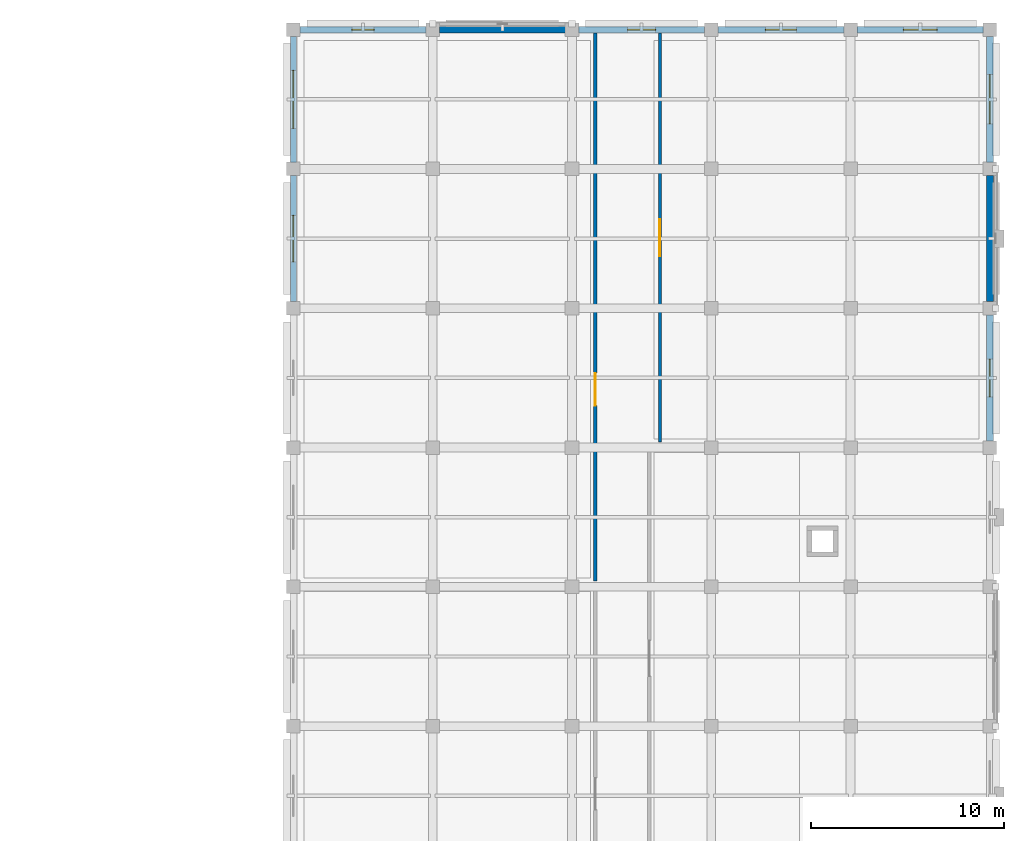
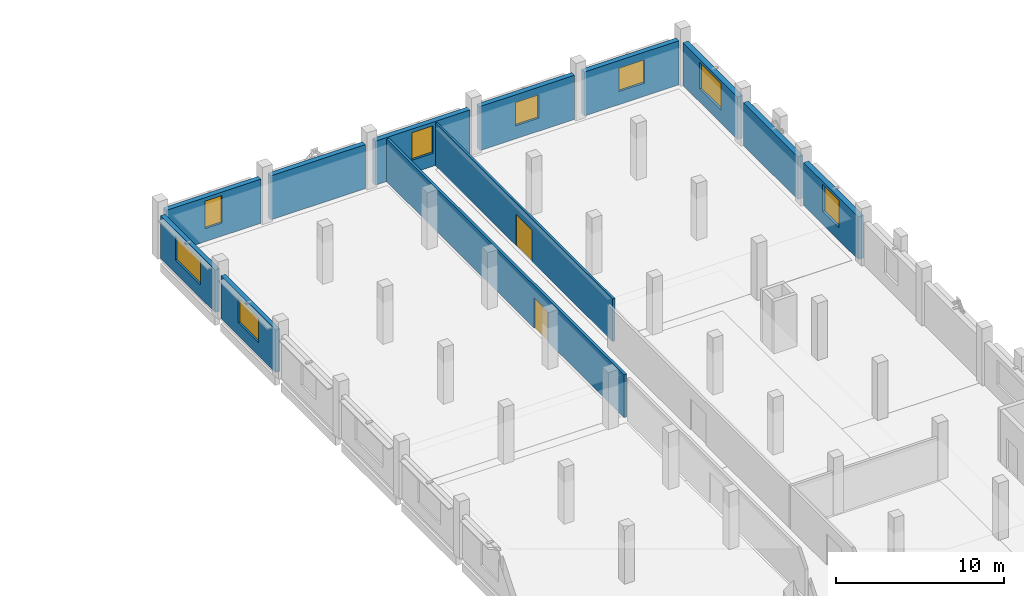
# One storey, part 41 of 57: 12 walls, 8 windows, 2 doors, 10 openings.
"""IFC4 building model written with IfcOpenShell, lengths in metres."""

from ifc_helpers import new_model, si_unit, direction, frame, frame_2d, origin, place, context, subcontext, project, spatial, rectangle, extrude, material, layer, layer_set, type_object, element, fill, save


model = new_model("IFC4")

# Units and contexts
model_context = context("Model", 3, precision=1e-05, world=origin(), true_north=direction((0.0, 1.0)))
body_context = subcontext(model_context, "Body", "Model", "MODEL_VIEW")
ifc_project = project(units=[si_unit("LENGTHUNIT", "METRE"), si_unit("AREAUNIT", "SQUARE_METRE"), si_unit("VOLUMEUNIT", "CUBIC_METRE"), si_unit("PLANEANGLEUNIT", "RADIAN"), si_unit("MASSUNIT", "GRAM", prefix="KILO")], contexts=[model_context])

# Site, building, storey
site_placement = place(None, origin())
site = spatial("IfcSite", under=ifc_project, at=site_placement, CompositionType="ELEMENT")
building_placement = place(site_placement, origin())
building = spatial("IfcBuilding", under=site, at=building_placement, Name="Valkovuoma Quantum and Materials Research Institute", CompositionType="ELEMENT")
storey_placement = place(building_placement, frame((0.0, 0.0, 4.800048828125)))
storey = spatial("IfcBuildingStorey", under=building, at=storey_placement, Name="L01", CompositionType="ELEMENT", Elevation=4.800048828125)

# Wall, opening, window
ifc_material_1 = material(Name="Precast concrete C40/50", Category="concrete")
ifc_layer_1 = layer(ifc_material_1, 0.300048828125)
ifc_layer_set_1 = layer_set([ifc_layer_1], Name="Precast concrete C40/50")
wall_type_1 = type_object("IfcWallType", Name="Wall-W-EXT300", PredefinedType="SOLIDWALL", material=ifc_layer_set_1)
wall_1_placement = place(storey_placement, frame((129.60009765625, 101.139892578125, 0.0), z_axis=(0.0, 0.0, 1.0), x_axis=(0.0, 1.0, 0.0)))
wall_1 = element("IfcWall", 1, at=wall_1_placement, inside=storey, type_object=wall_type_1, Name="L01 exterior wall 0230", PredefinedType="SOLIDWALL", context=body_context, shape_type="SweptSolid", body=[
    extrude(rectangle(XDim=6.52001953125, YDim=0.300048828125, at=frame_2d((3.260009765625, 0.0))), origin(), (0.0, 0.0, 1.0), 3.10986328125),
])
opening_1_placement = place(wall_1_placement, frame((2.06005859375, 0.0, 0.949951171875)))
opening_1 = element("IfcOpeningElement", 2, at=opening_1_placement, cuts=wall_1, Name="Opening WN-WL10", PredefinedType="OPENING", context=body_context, shape_type="SweptSolid", body=[
    extrude(rectangle(XDim=2.39990234375, YDim=1.800048828125, at=frame_2d((1.199951171875, 0.89990234375))), frame((0.0, 0.16015625, 0.0), z_axis=(0.0, -1.0, 0.0), x_axis=(1.0, 0.0, 0.0)), (0.0, 0.0, 1.0), 0.320068359375),
])
ifc_material_2 = material(Name="Triple low-E argon glazing in thermally broken aluminium frame", Category="aluminium")
window_type_1 = type_object("IfcWindowType", Name="Win-WN-WL10", PartitioningType="SINGLE_PANEL", PredefinedType="WINDOW", material=ifc_material_2)
window_1_placement = place(opening_1_placement, origin())
window_1 = element("IfcWindow", 3, at=window_1_placement, inside=storey, type_object=window_type_1, Name="L01 window 0251", OverallHeight=1.800048828125, OverallWidth=2.39990234375, PartitioningType="SINGLE_PANEL", PredefinedType="WINDOW", context=body_context, shape_type="SweptSolid", body=[
    extrude(rectangle(XDim=2.39990234375, YDim=1.800048828125, at=frame_2d((1.199951171875, 0.89990234375))), frame((0.0, 0.030029296875, 0.0), z_axis=(0.0, -1.0, 0.0), x_axis=(1.0, 0.0, 0.0)), (0.0, 0.0, 1.0), 0.06005859375),
])
fill(opening_1, window_1)

wall_2_placement = place(storey_placement, frame((129.60009765625, 108.340087890625, 0.0), z_axis=(0.0, 0.0, 1.0), x_axis=(0.0, 1.0, 0.0)))
wall_2 = element("IfcWall", 4, at=wall_2_placement, inside=storey, type_object=wall_type_1, Name="L01 exterior wall 0231", PredefinedType="SOLIDWALL", context=body_context, shape_type="SweptSolid", body=[
    extrude(rectangle(XDim=6.52001953125, YDim=0.300048828125, at=frame_2d((3.260009765625, 0.0))), origin(), (0.0, 0.0, 1.0), 3.10986328125),
])
opening_2_placement = place(wall_2_placement, frame((1.760009765625, 0.0, 0.949951171875)))
opening_2 = element("IfcOpeningElement", 5, at=opening_2_placement, cuts=wall_2, Name="Opening WN-WL12", PredefinedType="OPENING", context=body_context, shape_type="SweptSolid", body=[
    extrude(rectangle(XDim=3.0, YDim=1.800048828125, at=frame_2d((1.5, 0.89990234375))), frame((0.0, 0.16015625, 0.0), z_axis=(0.0, -1.0, 0.0), x_axis=(1.0, 0.0, 0.0)), (0.0, 0.0, 1.0), 0.320068359375),
])
ifc_material_3 = material(Name="Triple low-E argon glazing in thermally broken aluminium frame", Category="aluminium")
window_type_2 = type_object("IfcWindowType", Name="Win-WN-WL12", PartitioningType="SINGLE_PANEL", PredefinedType="WINDOW", material=ifc_material_3)
window_2_placement = place(opening_2_placement, origin())
window_2 = element("IfcWindow", 6, at=window_2_placement, inside=storey, type_object=window_type_2, Name="L01 window 0252", OverallHeight=1.800048828125, OverallWidth=3.0, PartitioningType="SINGLE_PANEL", PredefinedType="WINDOW", context=body_context, shape_type="SweptSolid", body=[
    extrude(rectangle(XDim=3.0, YDim=1.800048828125, at=frame_2d((1.5, 0.89990234375))), frame((0.0, 0.030029296875, 0.0), z_axis=(0.0, -1.0, 0.0), x_axis=(1.0, 0.0, 0.0)), (0.0, 0.0, 1.0), 0.06005859375),
])
fill(opening_2, window_2)

ifc_material_4 = material(Name="Precast concrete C40/50", Category="concrete")
ifc_layer_2 = layer(ifc_material_4, 0.340087890625)
ifc_layer_set_2 = layer_set([ifc_layer_2], Name="Precast concrete C40/50")
wall_type_2 = type_object("IfcWallType", Name="Wall-W-EXT340", PredefinedType="SOLIDWALL", material=ifc_layer_set_2)
wall_3_placement = place(storey_placement, frame((129.93994140625, 115.199951171875, 0.0), z_axis=(0.0, 0.0, 1.0), x_axis=(1.0, 0.0, 0.0)))
wall_3 = element("IfcWall", 7, at=wall_3_placement, inside=storey, type_object=wall_type_2, Name="L01 exterior wall 0216", PredefinedType="SOLIDWALL", context=body_context, shape_type="SweptSolid", body=[
    extrude(rectangle(XDim=6.52001953125, YDim=0.340087890625, at=frame_2d((3.260009765625, 0.0))), origin(), (0.0, 0.0, 1.0), 3.2099609375),
])
opening_3_placement = place(wall_3_placement, frame((2.68505859375, 0.0, 0.949951171875)))
opening_3 = element("IfcOpeningElement", 8, at=opening_3_placement, cuts=wall_3, Name="Opening WN-EX06", PredefinedType="OPENING", context=body_context, shape_type="SweptSolid", body=[
    extrude(rectangle(XDim=1.14990234375, YDim=2.0, at=frame_2d((0.574951171875, 1.0))), frame((0.0, 0.18017578125, 0.0), z_axis=(0.0, -1.0, 0.0), x_axis=(1.0, 0.0, 0.0)), (0.0, 0.0, 1.0), 0.360107421875),
])
ifc_material_5 = material(Name="Triple low-E argon glazing in thermally broken aluminium frame", Category="aluminium")
window_type_3 = type_object("IfcWindowType", Name="Win-WN-EX06", PartitioningType="SINGLE_PANEL", PredefinedType="WINDOW", material=ifc_material_5)
window_3_placement = place(opening_3_placement, origin())
window_3 = element("IfcWindow", 9, at=window_3_placement, inside=storey, type_object=window_type_3, Name="L01 window 0238", OverallHeight=2.0, OverallWidth=1.14990234375, PartitioningType="SINGLE_PANEL", PredefinedType="WINDOW", context=body_context, shape_type="SweptSolid", body=[
    extrude(rectangle(XDim=1.14990234375, YDim=2.0, at=frame_2d((0.574951171875, 1.0))), frame((0.0, 0.030029296875, 0.0), z_axis=(0.0, -1.0, 0.0), x_axis=(1.0, 0.0, 0.0)), (0.0, 0.0, 1.0), 0.06005859375),
])
fill(opening_3, window_3)

# Wall
wall_4_placement = place(storey_placement, frame((137.139892578125, 115.199951171875, 0.0), z_axis=(0.0, 0.0, 1.0), x_axis=(1.0, 0.0, 0.0)))
element("IfcWall", 10, at=wall_4_placement, inside=storey, type_object=wall_type_2, Name="L01 exterior wall 0217", PredefinedType="SOLIDWALL", context=body_context, shape_type="SweptSolid", body=[
    extrude(rectangle(XDim=6.52001953125, YDim=0.340087890625, at=frame_2d((3.260009765625, 0.0))), origin(), (0.0, 0.0, 1.0), 3.2099609375),
])

# Wall, opening, window
wall_5_placement = place(storey_placement, frame((144.340087890625, 115.199951171875, 0.0), z_axis=(0.0, 0.0, 1.0), x_axis=(1.0, 0.0, 0.0)))
wall_5 = element("IfcWall", 11, at=wall_5_placement, inside=storey, type_object=wall_type_2, Name="L01 exterior wall 0218", PredefinedType="SOLIDWALL", context=body_context, shape_type="SweptSolid", body=[
    extrude(rectangle(XDim=6.52001953125, YDim=0.340087890625, at=frame_2d((3.260009765625, 0.0))), origin(), (0.0, 0.0, 1.0), 3.2099609375),
])
opening_4_placement = place(wall_5_placement, frame((2.534912109375, 0.0, 0.949951171875)))
opening_4 = element("IfcOpeningElement", 12, at=opening_4_placement, cuts=wall_5, Name="Opening WN-EX08", PredefinedType="OPENING", context=body_context, shape_type="SweptSolid", body=[
    extrude(rectangle(XDim=1.449951171875, YDim=2.0, at=frame_2d((0.72509765625, 1.0))), frame((0.0, 0.18017578125, 0.0), z_axis=(0.0, -1.0, 0.0), x_axis=(1.0, 0.0, 0.0)), (0.0, 0.0, 1.0), 0.360107421875),
])
ifc_material_6 = material(Name="Triple low-E argon glazing in thermally broken aluminium frame", Category="aluminium")
window_type_4 = type_object("IfcWindowType", Name="Win-WN-EX08", PartitioningType="SINGLE_PANEL", PredefinedType="WINDOW", material=ifc_material_6)
window_4_placement = place(opening_4_placement, origin())
window_4 = element("IfcWindow", 13, at=window_4_placement, inside=storey, type_object=window_type_4, Name="L01 window 0239", OverallHeight=2.0, OverallWidth=1.449951171875, PartitioningType="SINGLE_PANEL", PredefinedType="WINDOW", context=body_context, shape_type="SweptSolid", body=[
    extrude(rectangle(XDim=1.449951171875, YDim=2.0, at=frame_2d((0.72509765625, 1.0))), frame((0.0, 0.030029296875, 0.0), z_axis=(0.0, -1.0, 0.0), x_axis=(1.0, 0.0, 0.0)), (0.0, 0.0, 1.0), 0.06005859375),
])
fill(opening_4, window_4)

wall_6_placement = place(storey_placement, frame((151.5400390625, 115.199951171875, 0.0), z_axis=(0.0, 0.0, 1.0), x_axis=(1.0, 0.0, 0.0)))
wall_6 = element("IfcWall", 14, at=wall_6_placement, inside=storey, type_object=wall_type_2, Name="L01 exterior wall 0219", PredefinedType="SOLIDWALL", context=body_context, shape_type="SweptSolid", body=[
    extrude(rectangle(XDim=6.52001953125, YDim=0.340087890625, at=frame_2d((3.260009765625, 0.0))), origin(), (0.0, 0.0, 1.0), 3.2099609375),
])
opening_5_placement = place(wall_6_placement, frame((2.4599609375, 0.0, 0.949951171875)))
opening_5 = element("IfcOpeningElement", 15, at=opening_5_placement, cuts=wall_6, Name="Opening WN-EX09", PredefinedType="OPENING", context=body_context, shape_type="SweptSolid", body=[
    extrude(rectangle(XDim=1.60009765625, YDim=1.699951171875, at=frame_2d((0.800048828125, 0.85009765625))), frame((0.0, 0.18017578125, 0.0), z_axis=(0.0, -1.0, 0.0), x_axis=(1.0, 0.0, 0.0)), (0.0, 0.0, 1.0), 0.360107421875),
])
ifc_material_7 = material(Name="Triple low-E argon glazing in thermally broken aluminium frame", Category="aluminium")
window_type_5 = type_object("IfcWindowType", Name="Win-WN-EX09", PartitioningType="SINGLE_PANEL", PredefinedType="WINDOW", material=ifc_material_7)
window_5_placement = place(opening_5_placement, origin())
window_5 = element("IfcWindow", 16, at=window_5_placement, inside=storey, type_object=window_type_5, Name="L01 window 0240", OverallHeight=1.699951171875, OverallWidth=1.60009765625, PartitioningType="SINGLE_PANEL", PredefinedType="WINDOW", context=body_context, shape_type="SweptSolid", body=[
    extrude(rectangle(XDim=1.60009765625, YDim=1.699951171875, at=frame_2d((0.800048828125, 0.85009765625))), frame((0.0, 0.030029296875, 0.0), z_axis=(0.0, -1.0, 0.0), x_axis=(1.0, 0.0, 0.0)), (0.0, 0.0, 1.0), 0.06005859375),
])
fill(opening_5, window_5)

wall_7_placement = place(storey_placement, frame((158.739990234375, 115.199951171875, 0.0), z_axis=(0.0, 0.0, 1.0), x_axis=(1.0, 0.0, 0.0)))
wall_7 = element("IfcWall", 17, at=wall_7_placement, inside=storey, type_object=wall_type_2, Name="L01 exterior wall 0220", PredefinedType="SOLIDWALL", context=body_context, shape_type="SweptSolid", body=[
    extrude(rectangle(XDim=6.52001953125, YDim=0.340087890625, at=frame_2d((3.260009765625, 0.0))), origin(), (0.0, 0.0, 1.0), 3.2099609375),
])
opening_6_placement = place(wall_7_placement, frame((2.385009765625, 0.0, 0.949951171875)))
opening_6 = element("IfcOpeningElement", 18, at=opening_6_placement, cuts=wall_7, Name="Opening WN-EX10", PredefinedType="OPENING", context=body_context, shape_type="SweptSolid", body=[
    extrude(rectangle(XDim=1.75, YDim=1.699951171875, at=frame_2d((0.875, 0.85009765625))), frame((0.0, 0.18017578125, 0.0), z_axis=(0.0, -1.0, 0.0), x_axis=(1.0, 0.0, 0.0)), (0.0, 0.0, 1.0), 0.360107421875),
])
ifc_material_8 = material(Name="Triple low-E argon glazing in thermally broken aluminium frame", Category="aluminium")
window_type_6 = type_object("IfcWindowType", Name="Win-WN-EX10", PartitioningType="SINGLE_PANEL", PredefinedType="WINDOW", material=ifc_material_8)
window_6_placement = place(opening_6_placement, origin())
window_6 = element("IfcWindow", 19, at=window_6_placement, inside=storey, type_object=window_type_6, Name="L01 window 0241", OverallHeight=1.699951171875, OverallWidth=1.75, PartitioningType="SINGLE_PANEL", PredefinedType="WINDOW", context=body_context, shape_type="SweptSolid", body=[
    extrude(rectangle(XDim=1.75, YDim=1.699951171875, at=frame_2d((0.875, 0.85009765625))), frame((0.0, 0.030029296875, 0.0), z_axis=(0.0, -1.0, 0.0), x_axis=(1.0, 0.0, 0.0)), (0.0, 0.0, 1.0), 0.06005859375),
])
fill(opening_6, window_6)

ifc_material_9 = material(Name="Precast concrete C40/50", Category="concrete")
ifc_layer_3 = layer(ifc_material_9, 0.360107421875)
ifc_layer_set_3 = layer_set([ifc_layer_3], Name="Precast concrete C40/50")
wall_type_3 = type_object("IfcWallType", Name="Wall-W-EXT360", PredefinedType="SOLIDWALL", material=ifc_layer_set_3)
wall_8_placement = place(storey_placement, frame((165.60009765625, 93.93994140625, 0.0), z_axis=(0.0, 0.0, 1.0), x_axis=(0.0, 1.0, 0.0)))
wall_8 = element("IfcWall", 20, at=wall_8_placement, inside=storey, type_object=wall_type_3, Name="L01 exterior wall 0213", PredefinedType="SOLIDWALL", context=body_context, shape_type="SweptSolid", body=[
    extrude(rectangle(XDim=6.52001953125, YDim=0.360107421875, at=frame_2d((3.260009765625, 0.0))), origin(), (0.0, 0.0, 1.0), 3.10986328125),
])
opening_7_placement = place(wall_8_placement, frame((2.284912109375, 0.0, 0.949951171875)))
opening_7 = element("IfcOpeningElement", 21, at=opening_7_placement, cuts=wall_8, Name="Opening WN-WL17", PredefinedType="OPENING", context=body_context, shape_type="SweptSolid", body=[
    extrude(rectangle(XDim=1.949951171875, YDim=1.949951171875, at=frame_2d((0.97509765625, 0.97509765625))), frame((0.0, 0.18994140625, 0.0), z_axis=(0.0, -1.0, 0.0), x_axis=(1.0, 0.0, 0.0)), (0.0, 0.0, 1.0), 0.380126953125),
])
ifc_material_10 = material(Name="Triple low-E argon glazing in thermally broken aluminium frame", Category="aluminium")
window_type_7 = type_object("IfcWindowType", Name="Win-WN-WL17", PartitioningType="SINGLE_PANEL", PredefinedType="WINDOW", material=ifc_material_10)
window_7_placement = place(opening_7_placement, origin())
window_7 = element("IfcWindow", 22, at=window_7_placement, inside=storey, type_object=window_type_7, Name="L01 window 0236", OverallHeight=1.949951171875, OverallWidth=1.949951171875, PartitioningType="SINGLE_PANEL", PredefinedType="WINDOW", context=body_context, shape_type="SweptSolid", body=[
    extrude(rectangle(XDim=1.949951171875, YDim=1.949951171875, at=frame_2d((0.97509765625, 0.97509765625))), frame((0.0, 0.030029296875, 0.0), z_axis=(0.0, -1.0, 0.0), x_axis=(1.0, 0.0, 0.0)), (0.0, 0.0, 1.0), 0.06005859375),
])
fill(opening_7, window_7)

# Wall
wall_9_placement = place(storey_placement, frame((165.60009765625, 101.139892578125, 0.0), z_axis=(0.0, 0.0, 1.0), x_axis=(0.0, 1.0, 0.0)))
element("IfcWall", 23, at=wall_9_placement, inside=storey, type_object=wall_type_3, Name="L01 exterior wall 0214", PredefinedType="SOLIDWALL", context=body_context, shape_type="SweptSolid", body=[
    extrude(rectangle(XDim=6.52001953125, YDim=0.360107421875, at=frame_2d((3.260009765625, 0.0))), origin(), (0.0, 0.0, 1.0), 3.10986328125),
])

# Wall, opening, window
wall_10_placement = place(storey_placement, frame((165.60009765625, 108.340087890625, 0.0), z_axis=(0.0, 0.0, 1.0), x_axis=(0.0, 1.0, 0.0)))
wall_10 = element("IfcWall", 24, at=wall_10_placement, inside=storey, type_object=wall_type_3, Name="L01 exterior wall 0215", PredefinedType="SOLIDWALL", context=body_context, shape_type="SweptSolid", body=[
    extrude(rectangle(XDim=6.52001953125, YDim=0.360107421875, at=frame_2d((3.260009765625, 0.0))), origin(), (0.0, 0.0, 1.0), 3.10986328125),
])
opening_8_placement = place(wall_10_placement, frame((1.985107421875, 0.0, 0.949951171875)))
opening_8 = element("IfcOpeningElement", 25, at=opening_8_placement, cuts=wall_10, Name="Opening WN-WL19", PredefinedType="OPENING", context=body_context, shape_type="SweptSolid", body=[
    extrude(rectangle(XDim=2.550048828125, YDim=1.949951171875, at=frame_2d((1.27490234375, 0.97509765625))), frame((0.0, 0.18994140625, 0.0), z_axis=(0.0, -1.0, 0.0), x_axis=(1.0, 0.0, 0.0)), (0.0, 0.0, 1.0), 0.380126953125),
])
ifc_material_11 = material(Name="Triple low-E argon glazing in thermally broken aluminium frame", Category="aluminium")
window_type_8 = type_object("IfcWindowType", Name="Win-WN-WL19", PartitioningType="SINGLE_PANEL", PredefinedType="WINDOW", material=ifc_material_11)
window_8_placement = place(opening_8_placement, origin())
window_8 = element("IfcWindow", 26, at=window_8_placement, inside=storey, type_object=window_type_8, Name="L01 window 0237", OverallHeight=1.949951171875, OverallWidth=2.550048828125, PartitioningType="SINGLE_PANEL", PredefinedType="WINDOW", context=body_context, shape_type="SweptSolid", body=[
    extrude(rectangle(XDim=2.550048828125, YDim=1.949951171875, at=frame_2d((1.27490234375, 0.97509765625))), frame((0.0, 0.030029296875, 0.0), z_axis=(0.0, -1.0, 0.0), x_axis=(1.0, 0.0, 0.0)), (0.0, 0.0, 1.0), 0.06005859375),
])
fill(opening_8, window_8)

# Wall, opening, door
ifc_material_12 = material(Name="Acoustic write-up studio partition", Category="masonry")
ifc_layer_4 = layer(ifc_material_12, 0.14990234375)
ifc_layer_set_4 = layer_set([ifc_layer_4], Name="Acoustic write-up studio partition")
wall_type_4 = type_object("IfcWallType", Name="Wall-W-PRT150", PredefinedType="PARTITIONING", material=ifc_layer_set_4)
wall_11_placement = place(storey_placement, frame((148.544921875, 93.875, 0.0), z_axis=(0.0, 0.0, 1.0), x_axis=(0.0, 1.0, 0.0)))
wall_11 = element("IfcWall", 27, at=wall_11_placement, inside=storey, type_object=wall_type_4, Name="L01 partition 0098", PredefinedType="PARTITIONING", context=body_context, shape_type="SweptSolid", body=[
    extrude(rectangle(XDim=21.155029296875, YDim=0.14990234375, at=frame_2d((10.57763671875, 0.0))), origin(), (0.0, 0.0, 1.0), 3.10986328125),
])
opening_9_placement = place(wall_11_placement, frame((9.617431640625, 0.0, 0.0)))
opening_9 = element("IfcOpeningElement", 28, at=opening_9_placement, cuts=wall_11, Name="Opening ID-0072", PredefinedType="OPENING", context=body_context, shape_type="SweptSolid", body=[
    extrude(rectangle(XDim=1.919921875, YDim=2.280029296875, at=frame_2d((0.9599609375, 1.14013671875))), frame((0.0, 0.0849609375, 0.0), z_axis=(0.0, -1.0, 0.0), x_axis=(1.0, 0.0, 0.0)), (0.0, 0.0, 1.0), 0.169921875),
])
ifc_material_13 = material(Name="Powder-coated steel and acoustic timber door assembly", Category="steel")
door_type_1 = type_object("IfcDoorType", Name="Door-DR-RM20", OperationType="NOTDEFINED", PredefinedType="DOOR", material=ifc_material_13)
door_1_placement = place(opening_9_placement, origin())
door_1 = element("IfcDoor", 29, at=door_1_placement, inside=storey, type_object=door_type_1, Name="L01 room door 0072", OperationType="DOUBLE_DOOR_SINGLE_SWING", OverallHeight=2.280029296875, OverallWidth=1.919921875, PredefinedType="DOOR", context=body_context, shape_type="SweptSolid", body=[
    extrude(rectangle(XDim=1.919921875, YDim=2.280029296875, at=frame_2d((0.9599609375, 1.14013671875))), frame((0.0, 0.02490234375, 0.0), z_axis=(0.0, -1.0, 0.0), x_axis=(1.0, 0.0, 0.0)), (0.0, 0.0, 1.0), 0.050048828125),
])
fill(opening_9, door_1)

ifc_material_14 = material(Name="Laboratory fire-rated gypsum partition", Category="masonry")
ifc_layer_5 = layer(ifc_material_14, 0.179931640625)
ifc_layer_set_5 = layer_set([ifc_layer_5], Name="Laboratory fire-rated gypsum partition")
wall_type_5 = type_object("IfcWallType", Name="Wall-W-PRT180", PredefinedType="PARTITIONING", material=ifc_layer_set_5)
wall_12_placement = place(storey_placement, frame((145.199951171875, 86.68994140625, 0.0), z_axis=(0.0, 0.0, 1.0), x_axis=(0.0, 1.0, 0.0)))
wall_12 = element("IfcWall", 30, at=wall_12_placement, inside=storey, type_object=wall_type_5, Name="L01 partition 0093", PredefinedType="PARTITIONING", context=body_context, shape_type="SweptSolid", body=[
    extrude(rectangle(XDim=28.340087890625, YDim=0.179931640625, at=frame_2d((14.169921875, 0.0))), origin(), (0.0, 0.0, 1.0), 3.10986328125),
])
opening_10_placement = place(wall_12_placement, frame((9.0791015625, 0.0, 0.0)))
opening_10 = element("IfcOpeningElement", 31, at=opening_10_placement, cuts=wall_12, Name="Opening ID-0068", PredefinedType="OPENING", context=body_context, shape_type="SweptSolid", body=[
    extrude(rectangle(XDim=1.679931640625, YDim=2.219970703125, at=frame_2d((0.83984375, 1.10986328125))), frame((0.0, 0.10009765625, 0.0), z_axis=(0.0, -1.0, 0.0), x_axis=(1.0, 0.0, 0.0)), (0.0, 0.0, 1.0), 0.199951171875),
])
ifc_material_15 = material(Name="Powder-coated steel and acoustic timber door assembly", Category="steel")
door_type_2 = type_object("IfcDoorType", Name="Door-DR-RM16", OperationType="NOTDEFINED", PredefinedType="DOOR", material=ifc_material_15)
door_2_placement = place(opening_10_placement, origin())
door_2 = element("IfcDoor", 32, at=door_2_placement, inside=storey, type_object=door_type_2, Name="L01 room door 0068", OperationType="DOUBLE_DOOR_SINGLE_SWING", OverallHeight=2.219970703125, OverallWidth=1.679931640625, PredefinedType="DOOR", context=body_context, shape_type="SweptSolid", body=[
    extrude(rectangle(XDim=1.679931640625, YDim=2.219970703125, at=frame_2d((0.83984375, 1.10986328125))), frame((0.0, 0.02490234375, 0.0), z_axis=(0.0, -1.0, 0.0), x_axis=(1.0, 0.0, 0.0)), (0.0, 0.0, 1.0), 0.050048828125),
])
fill(opening_10, door_2)

save(model, "model.ifc")
